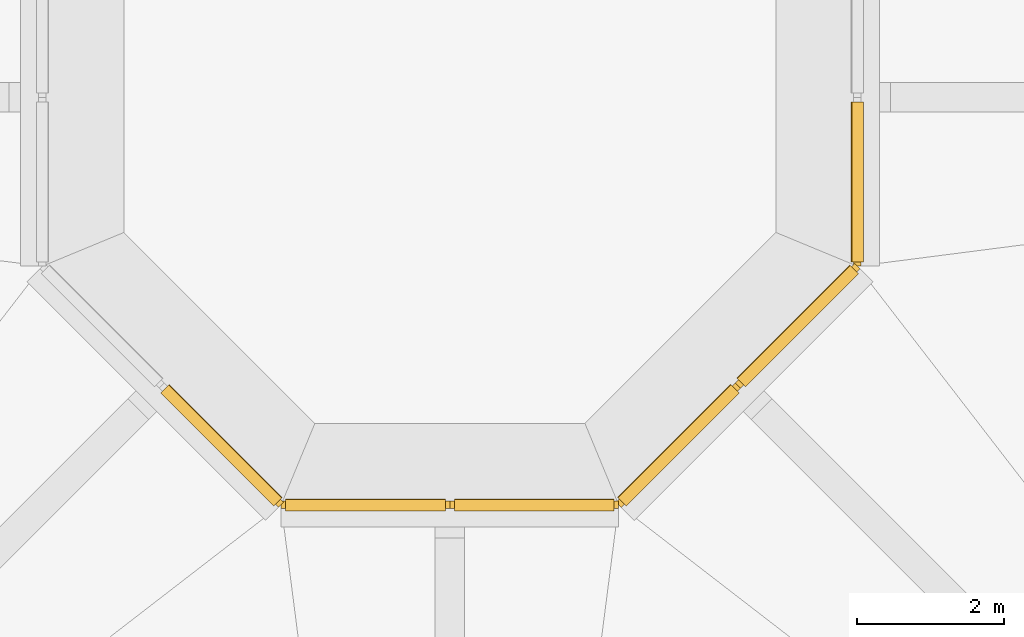
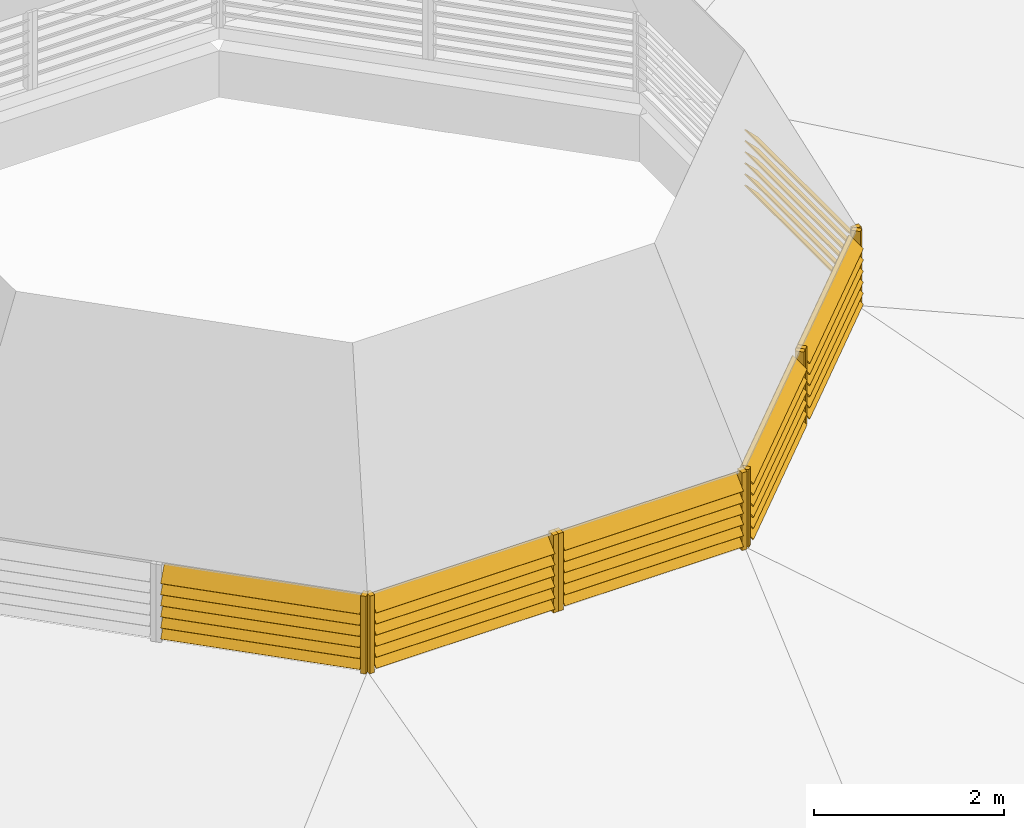
# One storey, part 118 of 137: 46 shading devices.
"""IFC4 building model written with IfcOpenShell, lengths in metres."""

from ifc_helpers import new_model, si_unit, direction, frame, origin, origin_2d, place, context, subcontext, project, spatial, rectangle, extrude, material, material_profile, profile_set, type_object, element, save


model = new_model("IFC4")

# Units and contexts
model_context = context("Model", 3, precision=1e-05, world=origin(), true_north=direction((0.0, 1.0)))
body_context = subcontext(model_context, "Body", "Model", "MODEL_VIEW")
ifc_project = project(units=[si_unit("LENGTHUNIT", "METRE"), si_unit("AREAUNIT", "SQUARE_METRE"), si_unit("VOLUMEUNIT", "CUBIC_METRE"), si_unit("PLANEANGLEUNIT", "RADIAN"), si_unit("MASSUNIT", "GRAM", prefix="KILO")], contexts=[model_context])

# Site, building, storey
site_placement = place(None, origin())
site = spatial("IfcSite", under=ifc_project, at=site_placement, CompositionType="ELEMENT")
building_placement = place(site_placement, origin())
building = spatial("IfcBuilding", under=site, at=building_placement, Name="Bougainvillea Quay General Hospital", CompositionType="ELEMENT")
storey_placement = place(building_placement, frame((0.0, 0.0, 16.800048828125)))
storey = spatial("IfcBuildingStorey", under=building, at=storey_placement, Name="L03", CompositionType="ELEMENT", Elevation=16.800048828125)

# Shading devices
ifc_material_1 = material(Name="Extruded aluminium louvre frame, powder-coated grey", Category="aluminium")
ifc_material_profile_1 = material_profile(ifc_material_1, rectangle(XDim=0.10009765625, YDim=0.06005859375, at=origin_2d()))
ifc_profile_set_1 = profile_set([ifc_material_profile_1], Name="Extruded aluminium louvre frame, powder-coated grey")
shading_device_type_1 = type_object("IfcShadingDeviceType", Name="Louvre frame post 100x60", PredefinedType="JALOUSIE", material=ifc_profile_set_1)
for number, where, z_axis, x_axis, name in (
    (1, (106.8828125, 68.478271484375, 9.0), (0.0, 0.0, 1.0), (0.707106781187, 0.707106781187, 0.0), "Louvre post V09.2"),
    (2, (106.93408203125, 68.45703125, 9.0), (0.0, 0.0, 1.0), (0.0, 1.0, 0.0), "Louvre post V10.1"),
    (3, (109.169921875, 68.45703125, 9.0), (0.0, 0.0, 1.0), (0.0, 1.0, 0.0), "Louvre post V10.2"),
    (4, (109.22998046875, 68.45703125, 9.0), (0.0, 0.0, 1.0), (0.0, 1.0, 0.0), "Louvre post V11.1"),
    (5, (111.466064453125, 68.45703125, 9.0), (0.0, 0.0, 1.0), (0.0, 1.0, 0.0), "Louvre post V11.2"),
    (6, (111.517333984375, 68.478271484375, 9.0), (0.0, 0.0, 1.0), (-0.707106781187, 0.707106781187, 0.0), "Louvre post V12.1"),
    (7, (113.098388671875, 70.059326171875, 9.0), (0.0, 0.0, 1.0), (-0.707106781187, 0.707106781187, 0.0), "Louvre post V12.2"),
    (8, (113.140625, 70.101806640625, 9.0), (0.0, 0.0, 1.0), (-0.707106781187, 0.707106781187, 0.0), "Louvre post V13.1"),
    (9, (114.7216796875, 71.682861328125, 9.0), (0.0, 0.0, 1.0), (-0.707106781187, 0.707106781187, 0.0), "Louvre post V13.2"),
    (10, (114.742919921875, 71.73388671875, 9.0), (0.0, 0.0, 1.0), (-1.0, 0.0, 0.0), "Louvre post V14.1"),
):
    element("IfcShadingDevice", number, at=place(storey_placement, frame(where, z_axis=z_axis, x_axis=x_axis)), inside=storey, type_object=shading_device_type_1, Name=name, PredefinedType="JALOUSIE", context=body_context, shape_type="SweptSolid", body=[
        extrude(rectangle(XDim=0.10009765625, YDim=0.06005859375, at=origin_2d()), origin(), (0.0, 0.0, 1.0), 1.0),
    ])
ifc_material_2 = material(Name="Extruded aluminium storm louvre blade, powder-coated grey", Category="aluminium")
ifc_material_profile_2 = material_profile(ifc_material_2, rectangle(XDim=0.219970703125, YDim=0.014892578125, at=origin_2d()))
ifc_profile_set_2 = profile_set([ifc_material_profile_2], Name="Extruded aluminium storm louvre blade, powder-coated grey")
shading_device_type_2 = type_object("IfcShadingDeviceType", Name="Storm louvre blade 220", PredefinedType="JALOUSIE", material=ifc_profile_set_2)
for number, where, z_axis, x_axis, name in (
    (11, (105.322998046875, 70.0380859375, 9.142822265625), (0.707106781187, -0.707106781187, 0.0), (0.5, 0.5, 0.707106781187), "Storm louvre blade V09.1"),
    (12, (105.322998046875, 70.0380859375, 9.28564453125), (0.707106781187, -0.707106781187, 0.0), (0.5, 0.5, 0.707106781187), "Storm louvre blade V09.2"),
    (13, (105.322998046875, 70.0380859375, 9.428466796875), (0.707106781187, -0.707106781187, 0.0), (0.5, 0.5, 0.707106781187), "Storm louvre blade V09.3"),
    (14, (105.322998046875, 70.0380859375, 9.5712890625), (0.707106781187, -0.707106781187, 0.0), (0.5, 0.5, 0.707106781187), "Storm louvre blade V09.4"),
    (15, (105.322998046875, 70.0380859375, 9.71435546875), (0.707106781187, -0.707106781187, 0.0), (0.5, 0.5, 0.707106781187), "Storm louvre blade V09.5"),
    (16, (105.322998046875, 70.0380859375, 9.857177734375), (0.707106781187, -0.707106781187, 0.0), (0.5, 0.5, 0.707106781187), "Storm louvre blade V09.6"),
    (17, (106.964111328125, 68.45703125, 9.142822265625), (1.0, 0.0, 0.0), (0.0, 0.707106781187, 0.707106781187), "Storm louvre blade V10.1"),
    (18, (106.964111328125, 68.45703125, 9.28564453125), (1.0, 0.0, 0.0), (0.0, 0.707106781187, 0.707106781187), "Storm louvre blade V10.2"),
    (19, (106.964111328125, 68.45703125, 9.428466796875), (1.0, 0.0, 0.0), (0.0, 0.707106781187, 0.707106781187), "Storm louvre blade V10.3"),
    (20, (106.964111328125, 68.45703125, 9.5712890625), (1.0, 0.0, 0.0), (0.0, 0.707106781187, 0.707106781187), "Storm louvre blade V10.4"),
    (21, (106.964111328125, 68.45703125, 9.71435546875), (1.0, 0.0, 0.0), (0.0, 0.707106781187, 0.707106781187), "Storm louvre blade V10.5"),
    (22, (106.964111328125, 68.45703125, 9.857177734375), (1.0, 0.0, 0.0), (0.0, 0.707106781187, 0.707106781187), "Storm louvre blade V10.6"),
):
    element("IfcShadingDevice", number, at=place(storey_placement, frame(where, z_axis=z_axis, x_axis=x_axis)), inside=storey, type_object=shading_device_type_2, Name=name, PredefinedType="JALOUSIE", context=body_context, shape_type="SweptSolid", body=[
        extrude(rectangle(XDim=0.219970703125, YDim=0.014892578125, at=origin_2d()), origin(), (0.0, 0.0, 1.0), 2.17578125),
    ])
for number, where, z_axis, x_axis, name in (
    (23, (109.260009765625, 68.45703125, 9.142822265625), (1.0, 0.0, 0.0), (0.0, 0.707106781187, 0.707106781187), "Storm louvre blade V11.1"),
    (24, (109.260009765625, 68.45703125, 9.28564453125), (1.0, 0.0, 0.0), (0.0, 0.707106781187, 0.707106781187), "Storm louvre blade V11.2"),
    (25, (109.260009765625, 68.45703125, 9.428466796875), (1.0, 0.0, 0.0), (0.0, 0.707106781187, 0.707106781187), "Storm louvre blade V11.3"),
    (26, (109.260009765625, 68.45703125, 9.5712890625), (1.0, 0.0, 0.0), (0.0, 0.707106781187, 0.707106781187), "Storm louvre blade V11.4"),
    (27, (109.260009765625, 68.45703125, 9.71435546875), (1.0, 0.0, 0.0), (0.0, 0.707106781187, 0.707106781187), "Storm louvre blade V11.5"),
    (28, (109.260009765625, 68.45703125, 9.857177734375), (1.0, 0.0, 0.0), (0.0, 0.707106781187, 0.707106781187), "Storm louvre blade V11.6"),
    (29, (111.538330078125, 68.49951171875, 9.142822265625), (0.707162876286, 0.707050681637, 0.0), (-0.499960331628, 0.500039665225, 0.707106781187), "Storm louvre blade V12.1"),
    (30, (111.538330078125, 68.49951171875, 9.28564453125), (0.707162876286, 0.707050681637, 0.0), (-0.499960331628, 0.500039665225, 0.707106781187), "Storm louvre blade V12.2"),
    (31, (111.538330078125, 68.49951171875, 9.428466796875), (0.707162876286, 0.707050681637, 0.0), (-0.499960331628, 0.500039665225, 0.707106781187), "Storm louvre blade V12.3"),
    (32, (111.538330078125, 68.49951171875, 9.5712890625), (0.707162876286, 0.707050681637, 0.0), (-0.499960331628, 0.500039665225, 0.707106781187), "Storm louvre blade V12.4"),
    (33, (111.538330078125, 68.49951171875, 9.71435546875), (0.707162876286, 0.707050681637, 0.0), (-0.499960331628, 0.500039665225, 0.707106781187), "Storm louvre blade V12.5"),
    (34, (111.538330078125, 68.49951171875, 9.857177734375), (0.707162876286, 0.707050681637, 0.0), (-0.499960331628, 0.500039665225, 0.707106781187), "Storm louvre blade V12.6"),
    (35, (113.161865234375, 70.123046875, 9.142822265625), (0.707162876286, 0.707050681637, 0.0), (-0.499960331628, 0.500039665225, 0.707106781187), "Storm louvre blade V13.1"),
    (36, (113.161865234375, 70.123046875, 9.28564453125), (0.707162876286, 0.707050681637, 0.0), (-0.499960331628, 0.500039665225, 0.707106781187), "Storm louvre blade V13.2"),
    (37, (113.161865234375, 70.123046875, 9.428466796875), (0.707162876286, 0.707050681637, 0.0), (-0.499960331628, 0.500039665225, 0.707106781187), "Storm louvre blade V13.3"),
    (38, (113.161865234375, 70.123046875, 9.5712890625), (0.707162876286, 0.707050681637, 0.0), (-0.499960331628, 0.500039665225, 0.707106781187), "Storm louvre blade V13.4"),
    (39, (113.161865234375, 70.123046875, 9.71435546875), (0.707162876286, 0.707050681637, 0.0), (-0.499960331628, 0.500039665225, 0.707106781187), "Storm louvre blade V13.5"),
    (40, (113.161865234375, 70.123046875, 9.857177734375), (0.707162876286, 0.707050681637, 0.0), (-0.499960331628, 0.500039665225, 0.707106781187), "Storm louvre blade V13.6"),
    (41, (114.742919921875, 71.763916015625, 9.142822265625), (0.0, 1.0, 0.0), (-0.707106781187, 0.0, 0.707106781187), "Storm louvre blade V14.1"),
    (42, (114.742919921875, 71.763916015625, 9.28564453125), (0.0, 1.0, 0.0), (-0.707106781187, 0.0, 0.707106781187), "Storm louvre blade V14.2"),
    (43, (114.742919921875, 71.763916015625, 9.428466796875), (0.0, 1.0, 0.0), (-0.707106781187, 0.0, 0.707106781187), "Storm louvre blade V14.3"),
    (44, (114.742919921875, 71.763916015625, 9.5712890625), (0.0, 1.0, 0.0), (-0.707106781187, 0.0, 0.707106781187), "Storm louvre blade V14.4"),
    (45, (114.742919921875, 71.763916015625, 9.71435546875), (0.0, 1.0, 0.0), (-0.707106781187, 0.0, 0.707106781187), "Storm louvre blade V14.5"),
    (46, (114.742919921875, 71.763916015625, 9.857177734375), (0.0, 1.0, 0.0), (-0.707106781187, 0.0, 0.707106781187), "Storm louvre blade V14.6"),
):
    element("IfcShadingDevice", number, at=place(storey_placement, frame(where, z_axis=z_axis, x_axis=x_axis)), inside=storey, type_object=shading_device_type_2, Name=name, PredefinedType="JALOUSIE", context=body_context, shape_type="SweptSolid", body=[
        extrude(rectangle(XDim=0.219970703125, YDim=0.014892578125, at=origin_2d()), origin(), (0.0, 0.0, 1.0), 2.176025390625),
    ])

save(model, "model.ifc")
